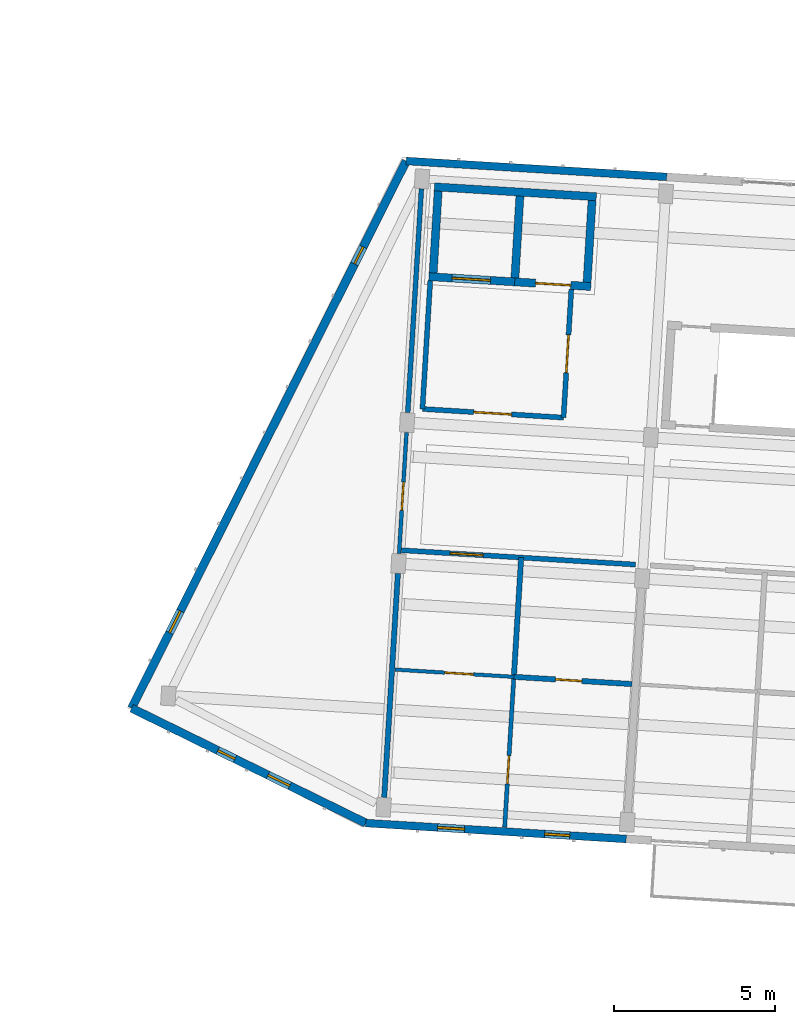
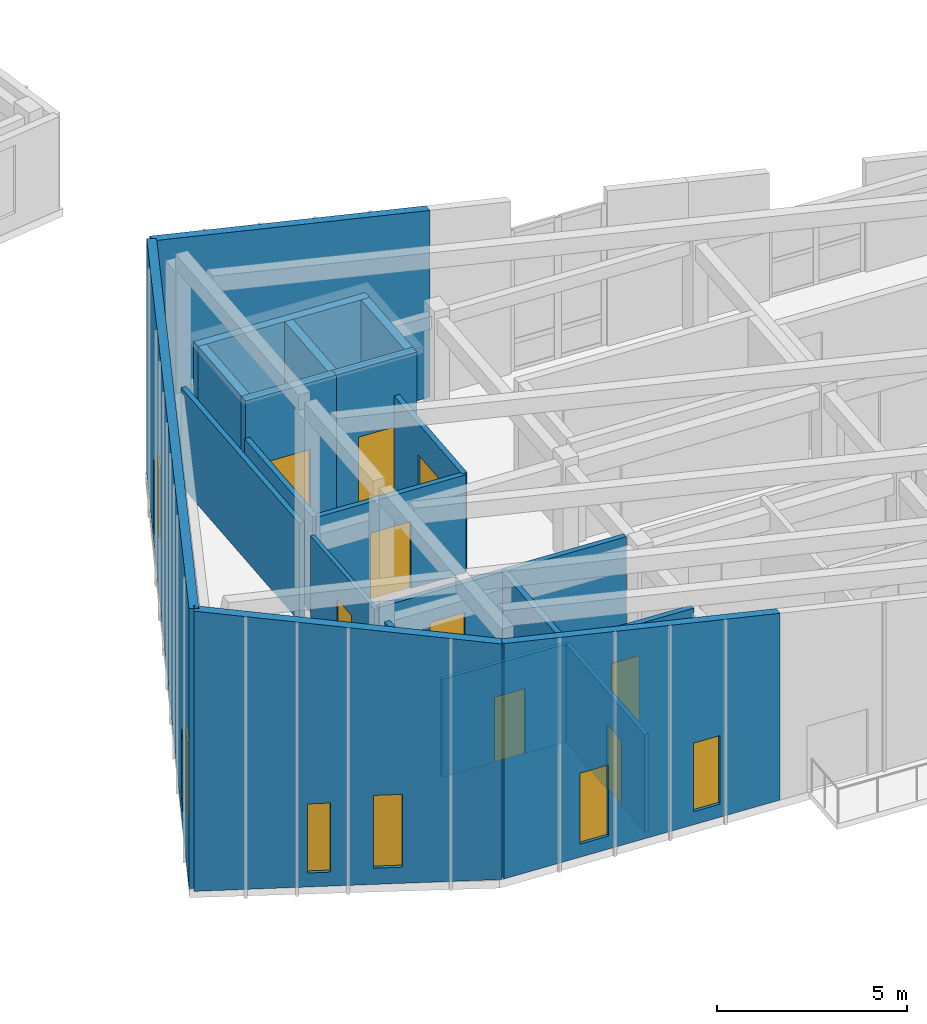
# One storey, part 17 of 45: 21 walls, 9 doors, 6 windows, 15 openings.
"""IFC4 building model written with IfcOpenShell, lengths in metres."""

from ifc_helpers import new_model, si_unit, direction, frame, frame_2d, origin, place, context, subcontext, project, spatial, polyline, rectangle, outline, extrude, material, layer, layer_set, type_object, element, fill, save


model = new_model("IFC4")

# Units and contexts
model_context = context("Model", 3, precision=1e-05, world=origin(), true_north=direction((0.0, 1.0)))
body_context = subcontext(model_context, "Body", "Model", "MODEL_VIEW")
ifc_project = project(units=[si_unit("LENGTHUNIT", "METRE"), si_unit("AREAUNIT", "SQUARE_METRE"), si_unit("VOLUMEUNIT", "CUBIC_METRE"), si_unit("PLANEANGLEUNIT", "RADIAN"), si_unit("MASSUNIT", "GRAM", prefix="KILO")], contexts=[model_context])

# Site, building, storey
site_placement = place(None, origin())
site = spatial("IfcSite", under=ifc_project, at=site_placement, CompositionType="ELEMENT")
building_placement = place(site_placement, origin())
building = spatial("IfcBuilding", under=site, at=building_placement, Name="Kestramere Prow Commons", CompositionType="ELEMENT")
storey_placement = place(building_placement, frame((0.0, 0.0, 31.14990234375)))
storey = spatial("IfcBuildingStorey", under=building, at=storey_placement, Name="L09", CompositionType="ELEMENT", Elevation=31.14990234375)

# Wall, openings, windows
ifc_material_1 = material(Name="Weathered Zinc-Titanium Standing-Seam Cladding")
ifc_layer_1 = layer(ifc_material_1, 0.260009765625)
ifc_layer_set_1 = layer_set([ifc_layer_1], Name="Weathered Zinc-Titanium Standing-Seam Cladding")
wall_type_1 = type_object("IfcWallType", Name="EW-PROW-260", PredefinedType="SOLIDWALL", material=ifc_layer_set_1)
wall_1_placement = place(storey_placement, frame((58.94384765625, 46.008056640625, 0.0), z_axis=(0.0, 0.0, 1.0), x_axis=(-0.897775054318, 0.440454256246, 0.0)))
wall_1 = element("IfcWall", 1, at=wall_1_placement, inside=storey, type_object=wall_type_1, Name="Block C L09 PRW-S Facet Wall", PredefinedType="SOLIDWALL", context=body_context, shape_type="SweptSolid", body=[
    extrude(outline(polyline([(0.0, 0.0), (8.120361328125, 0.0), (8.120361328125, 9.00341796875), (0.0, 7.561279296875), (0.0, 0.0)])), frame((0.0, 0.1298828125, 0.0), z_axis=(0.0, -1.0, 0.0), x_axis=(1.0, 0.0, 0.0)), (0.0, 0.0, 1.0), 0.260009765625),
])
opening_1_placement = place(wall_1_placement, frame((2.6298828125, 0.0, 0.52001953125)))
opening_1 = element("IfcOpeningElement", 2, at=opening_1_placement, cuts=wall_1, Name="Opening WN-10", PredefinedType="OPENING", context=body_context, shape_type="SweptSolid", body=[
    extrude(rectangle(XDim=0.760009765625, YDim=2.340087890625, at=frame_2d((0.3798828125, 1.169921875))), frame((0.0, 0.14501953125, 0.0), z_axis=(0.0, -1.0, 0.0), x_axis=(1.0, 0.0, 0.0)), (0.0, 0.0, 1.0), 0.2900390625),
])
opening_2_placement = place(wall_1_placement, frame((4.530517578125, 0.0, 0.449951171875)))
opening_2 = element("IfcOpeningElement", 3, at=opening_2_placement, cuts=wall_1, Name="Opening WN-02", PredefinedType="OPENING", context=body_context, shape_type="SweptSolid", body=[
    extrude(rectangle(XDim=0.60009765625, YDim=2.219970703125, at=frame_2d((0.300048828125, 1.10986328125))), frame((0.0, 0.14501953125, 0.0), z_axis=(0.0, -1.0, 0.0), x_axis=(1.0, 0.0, 0.0)), (0.0, 0.0, 1.0), 0.2900390625),
])
ifc_material_2 = material(Name="Low-E Laminated Double Glazing", Category="glass")
window_type_1 = type_object("IfcWindowType", Name="WN-NAR-600A", PartitioningType="SINGLE_PANEL", PredefinedType="WINDOW", material=ifc_material_2)
window_1_placement = place(opening_2_placement, origin())
window_1 = element("IfcWindow", 4, at=window_1_placement, inside=storey, type_object=window_type_1, Name="WN-C-L09-PRW-S-1", OverallHeight=2.219970703125, OverallWidth=0.60009765625, PartitioningType="SINGLE_PANEL", PredefinedType="WINDOW", context=body_context, shape_type="SweptSolid", body=[
    extrude(rectangle(XDim=0.60009765625, YDim=2.219970703125, at=frame_2d((0.300048828125, 1.10986328125))), frame((0.0, 0.030029296875, 0.0), z_axis=(0.0, -1.0, 0.0), x_axis=(1.0, 0.0, 0.0)), (0.0, 0.0, 1.0), 0.06005859375),
])
fill(opening_2, window_1)
window_type_2 = type_object("IfcWindowType", Name="WN-NAR-760A", PartitioningType="SINGLE_PANEL", PredefinedType="WINDOW", material=ifc_material_2)
window_2_placement = place(opening_1_placement, origin())
window_2 = element("IfcWindow", 5, at=window_2_placement, inside=storey, type_object=window_type_2, Name="WN-C-L09-PRW-S-0", OverallHeight=2.340087890625, OverallWidth=0.760009765625, PartitioningType="SINGLE_PANEL", PredefinedType="WINDOW", context=body_context, shape_type="SweptSolid", body=[
    extrude(rectangle(XDim=0.760009765625, YDim=2.340087890625, at=frame_2d((0.3798828125, 1.169921875))), frame((0.0, 0.030029296875, 0.0), z_axis=(0.0, -1.0, 0.0), x_axis=(1.0, 0.0, 0.0)), (0.0, 0.0, 1.0), 0.06005859375),
])
fill(opening_1, window_2)

wall_2_placement = place(storey_placement, frame((51.653564453125, 49.584716796875, 0.0), z_axis=(0.0, 0.0, 1.0), x_axis=(0.448621989068, 0.893721607059, 0.0)))
wall_2 = element("IfcWall", 6, at=wall_2_placement, inside=storey, type_object=wall_type_1, Name="Block C L09 PRW-N Facet Wall", PredefinedType="SOLIDWALL", context=body_context, shape_type="SweptSolid", body=[
    extrude(outline(polyline([(0.0, 0.0), (19.060546875, 0.0), (19.060302734375, 7.561279296875), (0.0, 9.00341796875), (0.0, 0.0)])), frame((0.0, 0.1298828125, 0.0), z_axis=(0.0, -1.0, 0.0), x_axis=(1.0, 0.0, 0.0)), (0.0, 0.0, 1.0), 0.260009765625),
])
opening_3_placement = place(wall_2_placement, frame((2.6298828125, 0.0, 0.52001953125)))
opening_3 = element("IfcOpeningElement", 7, at=opening_3_placement, cuts=wall_2, Name="Opening WN-10", PredefinedType="OPENING", context=body_context, shape_type="SweptSolid", body=[
    extrude(rectangle(XDim=0.760009765625, YDim=2.340087890625, at=frame_2d((0.3798828125, 1.169921875))), frame((0.0, 0.14501953125, 0.0), z_axis=(0.0, -1.0, 0.0), x_axis=(1.0, 0.0, 0.0)), (0.0, 0.0, 1.0), 0.2900390625),
])
opening_4_placement = place(wall_2_placement, frame((15.470458984375, 0.0, 0.449951171875)))
opening_4 = element("IfcOpeningElement", 8, at=opening_4_placement, cuts=wall_2, Name="Opening WN-02", PredefinedType="OPENING", context=body_context, shape_type="SweptSolid", body=[
    extrude(rectangle(XDim=0.60009765625, YDim=2.219970703125, at=frame_2d((0.300048828125, 1.10986328125))), frame((0.0, 0.14501953125, 0.0), z_axis=(0.0, -1.0, 0.0), x_axis=(1.0, 0.0, 0.0)), (0.0, 0.0, 1.0), 0.2900390625),
])
window_3_placement = place(opening_4_placement, origin())
window_3 = element("IfcWindow", 9, at=window_3_placement, inside=storey, type_object=window_type_1, Name="WN-C-L09-PRW-N-1", OverallHeight=2.219970703125, OverallWidth=0.60009765625, PartitioningType="SINGLE_PANEL", PredefinedType="WINDOW", context=body_context, shape_type="SweptSolid", body=[
    extrude(rectangle(XDim=0.60009765625, YDim=2.219970703125, at=frame_2d((0.300048828125, 1.10986328125))), frame((0.0, 0.030029296875, 0.0), z_axis=(0.0, -1.0, 0.0), x_axis=(1.0, 0.0, 0.0)), (0.0, 0.0, 1.0), 0.06005859375),
])
fill(opening_4, window_3)
window_4_placement = place(opening_3_placement, origin())
window_4 = element("IfcWindow", 10, at=window_4_placement, inside=storey, type_object=window_type_2, Name="WN-C-L09-PRW-N-0", OverallHeight=2.340087890625, OverallWidth=0.760009765625, PartitioningType="SINGLE_PANEL", PredefinedType="WINDOW", context=body_context, shape_type="SweptSolid", body=[
    extrude(rectangle(XDim=0.760009765625, YDim=2.340087890625, at=frame_2d((0.3798828125, 1.169921875))), frame((0.0, 0.030029296875, 0.0), z_axis=(0.0, -1.0, 0.0), x_axis=(1.0, 0.0, 0.0)), (0.0, 0.0, 1.0), 0.06005859375),
])
fill(opening_3, window_4)

ifc_material_3 = material(Name="Fluoropolymer Standing-Seam Zinc-Aluminium Cladding", Category="aluminium")
ifc_layer_2 = layer(ifc_material_3, 0.239990234375)
ifc_layer_set_2 = layer_set([ifc_layer_2], Name="Fluoropolymer Standing-Seam Zinc-Aluminium Cladding")
wall_type_2 = type_object("IfcWallType", Name="EW-SEAM-240", PredefinedType="SOLIDWALL", material=ifc_layer_set_2)
wall_3_placement = place(storey_placement, frame((67.0537109375, 45.511962890625, 0.0), z_axis=(0.0, 0.0, 1.0), x_axis=(-0.998134248939, 0.061057522844, 0.0)))
wall_3 = element("IfcWall", 11, at=wall_3_placement, inside=storey, type_object=wall_type_2, Name="Block C L09 South Standing-Seam Wall 1", PredefinedType="SOLIDWALL", context=body_context, shape_type="SweptSolid", body=[
    extrude(outline(polyline([(0.0, 0.0), (8.125, 0.0), (8.125, 7.561279296875), (0.0, 5.997802734375), (0.0, 0.0)])), frame((0.0, 0.1201171875, 0.0), z_axis=(0.0, -1.0, 0.0), x_axis=(1.0, 0.0, 0.0)), (0.0, 0.0, 1.0), 0.239990234375),
])
opening_5_placement = place(wall_3_placement, frame((1.76513671875, 0.0, 0.419921875)))
opening_5 = element("IfcOpeningElement", 12, at=opening_5_placement, cuts=wall_3, Name="Opening WN-11", PredefinedType="OPENING", context=body_context, shape_type="SweptSolid", body=[
    extrude(rectangle(XDim=0.780029296875, YDim=2.199951171875, at=frame_2d((0.39013671875, 1.10009765625))), frame((0.0, 0.135009765625, 0.0), z_axis=(0.0, -1.0, 0.0), x_axis=(1.0, 0.0, 0.0)), (0.0, 0.0, 1.0), 0.27001953125),
])
opening_6_placement = place(wall_3_placement, frame((5.0439453125, 0.0, 0.419921875)))
opening_6 = element("IfcOpeningElement", 13, at=opening_6_placement, cuts=wall_3, Name="Opening WN-14", PredefinedType="OPENING", context=body_context, shape_type="SweptSolid", body=[
    extrude(rectangle(XDim=0.840087890625, YDim=2.280029296875, at=frame_2d((0.419921875, 1.14013671875))), frame((0.0, 0.135009765625, 0.0), z_axis=(0.0, -1.0, 0.0), x_axis=(1.0, 0.0, 0.0)), (0.0, 0.0, 1.0), 0.27001953125),
])
window_type_3 = type_object("IfcWindowType", Name="WN-NAR-780A", PartitioningType="SINGLE_PANEL", PredefinedType="WINDOW", material=ifc_material_2)
window_5_placement = place(opening_5_placement, origin())
window_5 = element("IfcWindow", 14, at=window_5_placement, inside=storey, type_object=window_type_3, Name="WN-C-L09-S-0-00", OverallHeight=2.199951171875, OverallWidth=0.780029296875, PartitioningType="SINGLE_PANEL", PredefinedType="WINDOW", context=body_context, shape_type="SweptSolid", body=[
    extrude(rectangle(XDim=0.780029296875, YDim=2.199951171875, at=frame_2d((0.39013671875, 1.10009765625))), frame((0.0, 0.030029296875, 0.0), z_axis=(0.0, -1.0, 0.0), x_axis=(1.0, 0.0, 0.0)), (0.0, 0.0, 1.0), 0.06005859375),
])
fill(opening_5, window_5)
window_type_4 = type_object("IfcWindowType", Name="WN-NAR-840A", PartitioningType="DOUBLE_PANEL_VERTICAL", PredefinedType="WINDOW", material=ifc_material_2)
window_6_placement = place(opening_6_placement, origin())
window_6 = element("IfcWindow", 15, at=window_6_placement, inside=storey, type_object=window_type_4, Name="WN-C-L09-S-0-10", OverallHeight=2.280029296875, OverallWidth=0.840087890625, PartitioningType="SINGLE_PANEL", PredefinedType="WINDOW", context=body_context, shape_type="SweptSolid", body=[
    extrude(rectangle(XDim=0.840087890625, YDim=2.280029296875, at=frame_2d((0.419921875, 1.14013671875))), frame((0.0, 0.030029296875, 0.0), z_axis=(0.0, -1.0, 0.0), x_axis=(1.0, 0.0, 0.0)), (0.0, 0.0, 1.0), 0.06005859375),
])
fill(opening_6, window_6)

# Walls
wall_4_placement = place(storey_placement, frame((60.20458984375, 66.61962890625, 0.0), z_axis=(0.0, 0.0, 1.0), x_axis=(0.998134248939, -0.061057522844, 0.0)))
element("IfcWall", 16, at=wall_4_placement, inside=storey, type_object=wall_type_2, Name="Block C L09 North Standing-Seam Wall 1", PredefinedType="SOLIDWALL", context=body_context, shape_type="SweptSolid", body=[
    extrude(outline(polyline([(0.0, 0.0), (8.125, 0.0), (8.125, 5.997802734375), (0.0, 7.561279296875), (0.0, 0.0)])), frame((0.0, 0.1201171875, 0.0), z_axis=(0.0, -1.0, 0.0), x_axis=(1.0, 0.0, 0.0)), (0.0, 0.0, 1.0), 0.239990234375),
])
ifc_material_4 = material(Name="Concrete C40/50", Category="concrete")
ifc_layer_3 = layer(ifc_material_4, 0.25)
ifc_layer_set_3 = layer_set([ifc_layer_3], Name="Concrete C40/50")
wall_type_3 = type_object("IfcWallType", Name="W-CORE-250", PredefinedType="SHEAR", material=ifc_layer_set_3)
wall_5_placement = place(storey_placement, frame((61.08203125, 65.814453125, 0.0), z_axis=(0.0, 0.0, 1.0), x_axis=(0.998134101522, -0.061059932685, 0.0)))
element("IfcWall", 17, at=wall_5_placement, inside=storey, type_object=wall_type_3, Name="Block C L09 Lift Core Back Wall", PredefinedType="SHEAR", context=body_context, shape_type="SweptSolid", body=[
    extrude(rectangle(XDim=5.050048828125, YDim=0.25, at=frame_2d((2.52490234375, 0.0))), origin(), (0.0, 0.0, 1.0), 4.35009765625),
])

# Wall, opening, door
wall_6_placement = place(storey_placement, frame((60.9111328125, 63.019775390625, 0.0), z_axis=(0.0, 0.0, 1.0), x_axis=(0.998134099905, -0.061059959111, 0.0)))
wall_6 = element("IfcWall", 18, at=wall_6_placement, inside=storey, type_object=wall_type_3, Name="Block C L09 Fire Lift Shaft Front Wall", PredefinedType="SHEAR", context=body_context, shape_type="SweptSolid", body=[
    extrude(rectangle(XDim=2.6748046875, YDim=0.25, at=frame_2d((1.33740234375, 0.0))), origin(), (0.0, 0.0, 1.0), 4.35009765625),
])
opening_7_placement = place(wall_6_placement, frame((0.719970703125, 0.0, 0.0)))
opening_7 = element("IfcOpeningElement", 19, at=opening_7_placement, cuts=wall_6, Name="Opening LD-02", PredefinedType="OPENING", context=body_context, shape_type="SweptSolid", body=[
    extrude(rectangle(XDim=1.199951171875, YDim=2.199951171875, at=frame_2d((0.60009765625, 1.10009765625))), frame((0.0, 0.139892578125, 0.0), z_axis=(0.0, -1.0, 0.0), x_axis=(1.0, 0.0, 0.0)), (0.0, 0.0, 1.0), 0.280029296875),
])
ifc_material_5 = material(Name="Brushed Stainless Steel 316", Category="steel")
door_type_1 = type_object("IfcDoorType", Name="LD-02", OperationType="DOUBLE_DOOR_SLIDING", PredefinedType="DOOR", material=ifc_material_5)
door_1_placement = place(opening_7_placement, origin())
door_1 = element("IfcDoor", 20, at=door_1_placement, inside=storey, type_object=door_type_1, Name="FL-C1 L09 Lift Landing Door", OperationType="DOUBLE_DOOR_SLIDING", OverallHeight=2.199951171875, OverallWidth=1.199951171875, PredefinedType="DOOR", context=body_context, shape_type="SweptSolid", body=[
    extrude(rectangle(XDim=1.199951171875, YDim=2.199951171875, at=frame_2d((0.60009765625, 1.10009765625))), frame((0.0, 0.02490234375, 0.0), z_axis=(0.0, -1.0, 0.0), x_axis=(1.0, 0.0, 0.0)), (0.0, 0.0, 1.0), 0.050048828125),
])
fill(opening_7, door_1)

wall_7_placement = place(storey_placement, frame((63.5810546875, 62.8564453125, 0.0), z_axis=(0.0, 0.0, 1.0), x_axis=(0.998134103342, -0.061059902923, 0.0)))
wall_7 = element("IfcWall", 21, at=wall_7_placement, inside=storey, type_object=wall_type_3, Name="Block C L09 Passenger Lift Shaft Front Wall", PredefinedType="SHEAR", context=body_context, shape_type="SweptSolid", body=[
    extrude(rectangle(XDim=2.375, YDim=0.25, at=frame_2d((1.1875, 0.0))), origin(), (0.0, 0.0, 1.0), 4.35009765625),
])
opening_8_placement = place(wall_7_placement, frame((0.64990234375, 0.0, 0.0)))
opening_8 = element("IfcOpeningElement", 22, at=opening_8_placement, cuts=wall_7, Name="Opening LD-01", PredefinedType="OPENING", context=body_context, shape_type="SweptSolid", body=[
    extrude(rectangle(XDim=1.10009765625, YDim=2.14990234375, at=frame_2d((0.550048828125, 1.074951171875))), frame((0.0, 0.139892578125, 0.0), z_axis=(0.0, -1.0, 0.0), x_axis=(1.0, 0.0, 0.0)), (0.0, 0.0, 1.0), 0.280029296875),
])
ifc_material_6 = material(Name="Brushed Stainless Steel 304", Category="steel")
door_type_2 = type_object("IfcDoorType", Name="LD-01", OperationType="DOUBLE_DOOR_SLIDING", PredefinedType="DOOR", material=ifc_material_6)
door_2_placement = place(opening_8_placement, origin())
door_2 = element("IfcDoor", 23, at=door_2_placement, inside=storey, type_object=door_type_2, Name="PL-C2 L09 Lift Landing Door", OperationType="DOUBLE_DOOR_SLIDING", OverallHeight=2.14990234375, OverallWidth=1.10009765625, PredefinedType="DOOR", context=body_context, shape_type="SweptSolid", body=[
    extrude(rectangle(XDim=1.10009765625, YDim=2.14990234375, at=frame_2d((0.550048828125, 1.074951171875))), frame((0.0, 0.02490234375, 0.0), z_axis=(0.0, -1.0, 0.0), x_axis=(1.0, 0.0, 0.0)), (0.0, 0.0, 1.0), 0.050048828125),
])
fill(opening_8, door_2)

# Walls
wall_8_placement = place(storey_placement, frame((61.04345703125, 63.13671875, 0.0), z_axis=(0.0, 0.0, 1.0), x_axis=(0.061078919587, 0.998132939834, 0.0)))
element("IfcWall", 24, at=wall_8_placement, inside=storey, type_object=wall_type_3, Name="Block C L09 Lift Core Side Wall L", PredefinedType="SHEAR", context=body_context, shape_type="SweptSolid", body=[
    extrude(rectangle(XDim=2.55029296875, YDim=0.25, at=frame_2d((1.275146484375, 0.0))), origin(), (0.0, 0.0, 1.0), 4.35009765625),
])
wall_9_placement = place(storey_placement, frame((63.5888671875, 62.981201171875, 0.0), z_axis=(0.0, 0.0, 1.0), x_axis=(0.060989368901, 0.998138415692, 0.0)))
element("IfcWall", 25, at=wall_9_placement, inside=storey, type_object=wall_type_3, Name="Block C L09 Lift Core Side Wall M", PredefinedType="SHEAR", context=body_context, shape_type="SweptSolid", body=[
    extrude(rectangle(XDim=2.5498046875, YDim=0.25, at=frame_2d((1.27490234375, 0.0))), origin(), (0.0, 0.0, 1.0), 4.35009765625),
])
wall_10_placement = place(storey_placement, frame((65.83447265625, 62.84375, 0.0), z_axis=(0.0, 0.0, 1.0), x_axis=(0.061084756616, 0.998132582631, 0.0)))
element("IfcWall", 26, at=wall_10_placement, inside=storey, type_object=wall_type_3, Name="Block C L09 Lift Core Side Wall R", PredefinedType="SHEAR", context=body_context, shape_type="SweptSolid", body=[
    extrude(rectangle(XDim=2.550048828125, YDim=0.25, at=frame_2d((1.27490234375, 0.0))), origin(), (0.0, 0.0, 1.0), 4.35009765625),
])

# Wall, opening, door
ifc_material_7 = material(Name="Fire-Rated Calcium Silicate Wall")
ifc_layer_4 = layer(ifc_material_7, 0.155029296875)
ifc_layer_set_4 = layer_set([ifc_layer_4], Name="Fire-Rated Calcium Silicate Wall")
wall_type_4 = type_object("IfcWallType", Name="W-FIRE-150", PredefinedType="PARTITIONING", material=ifc_layer_set_4)
wall_11_placement = place(storey_placement, frame((60.709228515625, 58.8994140625, 0.0), z_axis=(0.0, 0.0, 1.0), x_axis=(0.998132276607, -0.061089756882, 0.0)))
wall_11 = element("IfcWall", 27, at=wall_11_placement, inside=storey, type_object=wall_type_4, Name="Interior Partition PW-C-L09-FFL-S", PredefinedType="PARTITIONING", context=body_context, shape_type="SweptSolid", body=[
    extrude(rectangle(XDim=4.400146484375, YDim=0.155029296875, at=frame_2d((2.2001953125, 0.0))), origin(), (0.0, 0.0, 1.0), 3.150146484375),
])
opening_9_placement = place(wall_11_placement, frame((1.60009765625, 0.0, 0.0)))
opening_9 = element("IfcOpeningElement", 28, at=opening_9_placement, cuts=wall_11, Name="Opening ID-03", PredefinedType="OPENING", context=body_context, shape_type="SweptSolid", body=[
    extrude(rectangle(XDim=1.179931640625, YDim=2.14990234375, at=frame_2d((0.58984375, 1.074951171875))), frame((0.0, 0.092529296875, 0.0), z_axis=(0.0, -1.0, 0.0), x_axis=(1.0, 0.0, 0.0)), (0.0, 0.0, 1.0), 0.18505859375),
])
ifc_material_8 = material(Name="Fire-Rated Glazed Smoke-Stop Door")
door_type_3 = type_object("IfcDoorType", Name="FD-LB-01", OperationType="NOTDEFINED", PredefinedType="DOOR", material=ifc_material_8)
door_3_placement = place(opening_9_placement, origin())
door_3 = element("IfcDoor", 29, at=door_3_placement, inside=storey, type_object=door_type_3, Name="Interior Door DR-C-L09-FFL", OperationType="SINGLE_SWING_RIGHT", OverallHeight=2.14990234375, OverallWidth=1.179931640625, PredefinedType="DOOR", context=body_context, shape_type="SweptSolid", body=[
    extrude(rectangle(XDim=1.179931640625, YDim=2.14990234375, at=frame_2d((0.58984375, 1.074951171875))), frame((0.0, 0.02490234375, 0.0), z_axis=(0.0, -1.0, 0.0), x_axis=(1.0, 0.0, 0.0)), (0.0, 0.0, 1.0), 0.050048828125),
])
fill(opening_9, door_3)

# Wall
wall_12_placement = place(storey_placement, frame((60.709228515625, 58.8994140625, 0.0), z_axis=(0.0, 0.0, 1.0), x_axis=(0.061036844229, 0.998135513669, 0.0)))
element("IfcWall", 30, at=wall_12_placement, inside=storey, type_object=wall_type_4, Name="Interior Partition PW-C-L09-FFL-W", PredefinedType="PARTITIONING", context=body_context, shape_type="SweptSolid", body=[
    extrude(rectangle(XDim=4.0, YDim=0.155029296875, at=frame_2d((2.0, 0.0))), origin(), (0.0, 0.0, 1.0), 3.150146484375),
])

# Wall, opening, door
wall_13_placement = place(storey_placement, frame((65.10107421875, 58.630615234375, 0.0), z_axis=(0.0, 0.0, 1.0), x_axis=(0.061033125904, 0.99813574104, 0.0)))
wall_13 = element("IfcWall", 31, at=wall_13_placement, inside=storey, type_object=wall_type_4, Name="Interior Partition PW-C-L09-FFL-E", PredefinedType="PARTITIONING", context=body_context, shape_type="SweptSolid", body=[
    extrude(rectangle(XDim=4.000244140625, YDim=0.155029296875, at=frame_2d((2.0, 0.0))), origin(), (0.0, 0.0, 1.0), 3.150146484375),
])
opening_10_placement = place(wall_13_placement, frame((1.39990234375, 0.0, 0.0)))
opening_10 = element("IfcOpeningElement", 32, at=opening_10_placement, cuts=wall_13, Name="Opening ID-03", PredefinedType="OPENING", context=body_context, shape_type="SweptSolid", body=[
    extrude(rectangle(XDim=1.179931640625, YDim=2.14990234375, at=frame_2d((0.58984375, 1.074951171875))), frame((0.0, 0.092529296875, 0.0), z_axis=(0.0, -1.0, 0.0), x_axis=(1.0, 0.0, 0.0)), (0.0, 0.0, 1.0), 0.18505859375),
])
door_4_placement = place(opening_10_placement, origin())
door_4 = element("IfcDoor", 33, at=door_4_placement, inside=storey, type_object=door_type_3, Name="Interior Door DR-C-L09-FFL-PL", OperationType="SINGLE_SWING_LEFT", OverallHeight=2.14990234375, OverallWidth=1.179931640625, PredefinedType="DOOR", context=body_context, shape_type="SweptSolid", body=[
    extrude(rectangle(XDim=1.179931640625, YDim=2.14990234375, at=frame_2d((0.58984375, 1.074951171875))), frame((0.0, 0.02490234375, 0.0), z_axis=(0.0, -1.0, 0.0), x_axis=(1.0, 0.0, 0.0)), (0.0, 0.0, 1.0), 0.050048828125),
])
fill(opening_10, door_4)

wall_14_placement = place(storey_placement, frame((60.0595703125, 54.500732421875, 0.0), z_axis=(0.0, 0.0, 1.0), x_axis=(0.998135030865, -0.061044739012, 0.0)))
wall_14 = element("IfcWall", 34, at=wall_14_placement, inside=storey, type_object=wall_type_4, Name="Interior Partition PW-C-L09-CS-0", PredefinedType="PARTITIONING", context=body_context, shape_type="SweptSolid", body=[
    extrude(rectangle(XDim=7.294921875, YDim=0.155029296875, at=frame_2d((3.6474609375, 0.0))), origin(), (0.0, 0.0, 1.0), 3.150146484375),
])
opening_11_placement = place(wall_14_placement, frame((1.52001953125, 0.0, 0.0)))
opening_11 = element("IfcOpeningElement", 35, at=opening_11_placement, cuts=wall_14, Name="Opening ID-05", PredefinedType="OPENING", context=body_context, shape_type="SweptSolid", body=[
    extrude(rectangle(XDim=1.02001953125, YDim=2.199951171875, at=frame_2d((0.510009765625, 1.10009765625))), frame((0.0, 0.092529296875, 0.0), z_axis=(0.0, -1.0, 0.0), x_axis=(1.0, 0.0, 0.0)), (0.0, 0.0, 1.0), 0.18505859375),
])
ifc_material_9 = material(Name="Hardwood Fire-Rated Flat Entrance Door", Category="wood")
door_type_4 = type_object("IfcDoorType", Name="FD-ENT-02", OperationType="NOTDEFINED", PredefinedType="DOOR", material=ifc_material_9)
door_5_placement = place(opening_11_placement, origin())
door_5 = element("IfcDoor", 36, at=door_5_placement, inside=storey, type_object=door_type_4, Name="Interior Door DR-C-L09-ENT-S0", OperationType="SINGLE_SWING_RIGHT", OverallHeight=2.199951171875, OverallWidth=1.02001953125, PredefinedType="DOOR", context=body_context, shape_type="SweptSolid", body=[
    extrude(rectangle(XDim=1.02001953125, YDim=2.199951171875, at=frame_2d((0.510009765625, 1.10009765625))), frame((0.0, 0.02490234375, 0.0), z_axis=(0.0, -1.0, 0.0), x_axis=(1.0, 0.0, 0.0)), (0.0, 0.0, 1.0), 0.050048828125),
])
fill(opening_11, door_5)

ifc_material_10 = material(Name="Gypsum Acoustic Drywall")
ifc_layer_5 = layer(ifc_material_10, 0.110107421875)
ifc_layer_set_5 = layer_set([ifc_layer_5], Name="Gypsum Acoustic Drywall")
wall_type_5 = type_object("IfcWallType", Name="W-PART-110", PredefinedType="PARTITIONING", material=ifc_layer_set_5)
wall_15_placement = place(storey_placement, frame((59.852294921875, 50.786376953125, 0.0), z_axis=(0.0, 0.0, 1.0), x_axis=(0.998137662841, -0.061001688651, 0.0)))
wall_15 = element("IfcWall", 37, at=wall_15_placement, inside=storey, type_object=wall_type_5, Name="Interior Partition PW-C-L09-MIDS1-0", PredefinedType="PARTITIONING", context=body_context, shape_type="SweptSolid", body=[
    extrude(rectangle(XDim=3.7099609375, YDim=0.110107421875, at=frame_2d((1.85498046875, 0.0))), origin(), (0.0, 0.0, 1.0), 3.150146484375),
])
opening_12_placement = place(wall_15_placement, frame((1.550048828125, 0.0, 0.0)))
opening_12 = element("IfcOpeningElement", 38, at=opening_12_placement, cuts=wall_15, Name="Opening ID-08", PredefinedType="OPENING", context=body_context, shape_type="SweptSolid", body=[
    extrude(rectangle(XDim=0.89990234375, YDim=2.10009765625, at=frame_2d((0.449951171875, 1.050048828125))), frame((0.0, 0.070068359375, 0.0), z_axis=(0.0, -1.0, 0.0), x_axis=(1.0, 0.0, 0.0)), (0.0, 0.0, 1.0), 0.14013671875),
])
ifc_material_11 = material(Name="Engineered Timber Flush Door", Category="wood")
door_type_5 = type_object("IfcDoorType", Name="D-RM-01", OperationType="NOTDEFINED", PredefinedType="DOOR", material=ifc_material_11)
door_6_placement = place(opening_12_placement, origin())
door_6 = element("IfcDoor", 39, at=door_6_placement, inside=storey, type_object=door_type_5, Name="Interior Door DR-C-L09-KL-S0", OperationType="SINGLE_SWING_RIGHT", OverallHeight=2.10009765625, OverallWidth=0.89990234375, PredefinedType="DOOR", context=body_context, shape_type="SweptSolid", body=[
    extrude(rectangle(XDim=0.89990234375, YDim=2.10009765625, at=frame_2d((0.449951171875, 1.050048828125))), frame((0.0, 0.02490234375, 0.0), z_axis=(0.0, -1.0, 0.0), x_axis=(1.0, 0.0, 0.0)), (0.0, 0.0, 1.0), 0.050048828125),
])
fill(opening_12, door_6)

ifc_material_12 = material(Name="Lightweight Blockwork and Plaster", Category="masonry")
ifc_layer_6 = layer(ifc_material_12, 0.1201171875)
ifc_layer_set_6 = layer_set([ifc_layer_6], Name="Lightweight Blockwork and Plaster")
wall_type_6 = type_object("IfcWallType", Name="W-PART-120", PredefinedType="PARTITIONING", material=ifc_layer_set_6)
wall_16_placement = place(storey_placement, frame((59.98291015625, 54.395263671875, 0.0), z_axis=(0.0, 0.0, 1.0), x_axis=(0.061035211258, 0.998135613525, 0.0)))
wall_16 = element("IfcWall", 40, at=wall_16_placement, inside=storey, type_object=wall_type_6, Name="Interior Partition PW-C-L09-PROW-ACC", PredefinedType="PARTITIONING", context=body_context, shape_type="SweptSolid", body=[
    extrude(rectangle(XDim=3.780029296875, YDim=0.1201171875, at=frame_2d((1.89013671875, 0.0))), origin(), (0.0, 0.0, 1.0), 3.150146484375),
])
opening_13_placement = place(wall_16_placement, frame((1.35009765625, 0.0, 0.0)))
opening_13 = element("IfcOpeningElement", 41, at=opening_13_placement, cuts=wall_16, Name="Opening ID-10", PredefinedType="OPENING", context=body_context, shape_type="SweptSolid", body=[
    extrude(rectangle(XDim=0.8798828125, YDim=2.10009765625, at=frame_2d((0.43994140625, 1.050048828125))), frame((0.0, 0.074951171875, 0.0), z_axis=(0.0, -1.0, 0.0), x_axis=(1.0, 0.0, 0.0)), (0.0, 0.0, 1.0), 0.150146484375),
])
ifc_material_13 = material(Name="Engineered Timber Bedroom Door", Category="wood")
door_type_6 = type_object("IfcDoorType", Name="D-RM-03", OperationType="NOTDEFINED", PredefinedType="DOOR", material=ifc_material_13)
door_7_placement = place(opening_13_placement, origin())
door_7 = element("IfcDoor", 42, at=door_7_placement, inside=storey, type_object=door_type_6, Name="Interior Door DR-C-L09-PROW", OperationType="SINGLE_SWING_LEFT", OverallHeight=2.10009765625, OverallWidth=0.8798828125, PredefinedType="DOOR", context=body_context, shape_type="SweptSolid", body=[
    extrude(rectangle(XDim=0.8798828125, YDim=2.10009765625, at=frame_2d((0.43994140625, 1.050048828125))), frame((0.0, 0.02490234375, 0.0), z_axis=(0.0, -1.0, 0.0), x_axis=(1.0, 0.0, 0.0)), (0.0, 0.0, 1.0), 0.050048828125),
])
fill(opening_13, door_7)

ifc_layer_7 = layer(ifc_material_12, 0.1298828125)
ifc_layer_set_7 = layer_set([ifc_layer_7], Name="Lightweight Blockwork and Plaster")
wall_type_7 = type_object("IfcWallType", Name="W-PART-130", PredefinedType="PARTITIONING", material=ifc_layer_set_7)
wall_17_placement = place(storey_placement, frame((63.26904296875, 45.878662109375, 0.0), z_axis=(0.0, 0.0, 1.0), x_axis=(0.061059262019, 0.998134142549, 0.0)))
wall_17 = element("IfcWall", 43, at=wall_17_placement, inside=storey, type_object=wall_type_7, Name="Interior Partition PW-C-L09-LB-S0", PredefinedType="PARTITIONING", context=body_context, shape_type="SweptSolid", body=[
    extrude(rectangle(XDim=4.690185546875, YDim=0.1298828125, at=frame_2d((2.34521484375, 0.0))), origin(), (0.0, 0.0, 1.0), 3.150146484375),
])
opening_14_placement = place(wall_17_placement, frame((1.35009765625, 0.0, 0.0)))
opening_14 = element("IfcOpeningElement", 44, at=opening_14_placement, cuts=wall_17, Name="Opening ID-10", PredefinedType="OPENING", context=body_context, shape_type="SweptSolid", body=[
    extrude(rectangle(XDim=0.8798828125, YDim=2.10009765625, at=frame_2d((0.43994140625, 1.050048828125))), frame((0.0, 0.079833984375, 0.0), z_axis=(0.0, -1.0, 0.0), x_axis=(1.0, 0.0, 0.0)), (0.0, 0.0, 1.0), 0.159912109375),
])
door_8_placement = place(opening_14_placement, origin())
door_8 = element("IfcDoor", 45, at=door_8_placement, inside=storey, type_object=door_type_6, Name="Interior Door DR-C-L09-BED-S0", OperationType="SINGLE_SWING_LEFT", OverallHeight=2.10009765625, OverallWidth=0.8798828125, PredefinedType="DOOR", context=body_context, shape_type="SweptSolid", body=[
    extrude(rectangle(XDim=0.8798828125, YDim=2.10009765625, at=frame_2d((0.43994140625, 1.050048828125))), frame((0.0, 0.02490234375, 0.0), z_axis=(0.0, -1.0, 0.0), x_axis=(1.0, 0.0, 0.0)), (0.0, 0.0, 1.0), 0.050048828125),
])
fill(opening_14, door_8)

# Walls
ifc_material_14 = material(Name="Masonry Compartment Wall", Category="masonry")
ifc_layer_8 = layer(ifc_material_14, 0.14990234375)
ifc_layer_set_8 = layer_set([ifc_layer_8], Name="Masonry Compartment Wall")
wall_type_8 = type_object("IfcWallType", Name="W-PART-150", PredefinedType="PARTITIONING", material=ifc_layer_set_8)
wall_18_placement = place(storey_placement, frame((60.25146484375, 58.787109375, 0.0), z_axis=(0.0, 0.0, 1.0), x_axis=(0.061071659957, 0.998133384047, 0.0)))
element("IfcWall", 46, at=wall_18_placement, inside=storey, type_object=wall_type_8, Name="Interior Partition PW-C-L09-PRW-N", PredefinedType="PARTITIONING", context=body_context, shape_type="SweptSolid", body=[
    extrude(rectangle(XDim=6.979736328125, YDim=0.14990234375, at=frame_2d((3.48974609375, 0.0))), origin(), (0.0, 0.0, 1.0), 3.150146484375),
])
ifc_material_15 = material(Name="Waterproof Sanitary Masonry Wall", Category="masonry")
ifc_layer_9 = layer(ifc_material_15, 0.1650390625)
ifc_layer_set_9 = layer_set([ifc_layer_9], Name="Waterproof Sanitary Masonry Wall")
wall_type_9 = type_object("IfcWallType", Name="W-PLUMB-150", PredefinedType="PLUMBINGWALL", material=ifc_layer_set_9)
wall_19_placement = place(storey_placement, frame((59.51904296875, 46.809326171875, 0.0), z_axis=(0.0, 0.0, 1.0), x_axis=(0.061034681366, 0.998135645927, 0.0)))
element("IfcWall", 47, at=wall_19_placement, inside=storey, type_object=wall_type_9, Name="Interior Partition PW-C-L09-PRWW-S", PredefinedType="PLUMBINGWALL", context=body_context, shape_type="SweptSolid", body=[
    extrude(rectangle(XDim=6.97998046875, YDim=0.1650390625, at=frame_2d((3.489990234375, 0.0))), origin(), (0.0, 0.0, 1.0), 3.150146484375),
])

# Wall, opening, door
wall_20_placement = place(storey_placement, frame((63.555419921875, 50.56005859375, 0.0), z_axis=(0.0, 0.0, 1.0), x_axis=(0.998132682596, -0.061083123148, 0.0)))
wall_20 = element("IfcWall", 48, at=wall_20_placement, inside=storey, type_object=wall_type_9, Name="Interior Partition PW-C-L09-MIDS2-0", PredefinedType="PLUMBINGWALL", context=body_context, shape_type="SweptSolid", body=[
    extrude(rectangle(XDim=3.68505859375, YDim=0.1650390625, at=frame_2d((1.842529296875, 0.0))), origin(), (0.0, 0.0, 1.0), 3.150146484375),
])
opening_15_placement = place(wall_20_placement, frame((1.300048828125, 0.0, 0.0)))
opening_15 = element("IfcOpeningElement", 49, at=opening_15_placement, cuts=wall_20, Name="Opening ID-11", PredefinedType="OPENING", context=body_context, shape_type="SweptSolid", body=[
    extrude(rectangle(XDim=0.820068359375, YDim=2.080078125, at=frame_2d((0.41015625, 1.0400390625))), frame((0.0, 0.097412109375, 0.0), z_axis=(0.0, -1.0, 0.0), x_axis=(1.0, 0.0, 0.0)), (0.0, 0.0, 1.0), 0.195068359375),
])
ifc_material_16 = material(Name="Moisture-Resistant Timber Bathroom Door", Category="wood")
door_type_7 = type_object("IfcDoorType", Name="D-BT-01", OperationType="NOTDEFINED", PredefinedType="DOOR", material=ifc_material_16)
door_9_placement = place(opening_15_placement, origin())
door_9 = element("IfcDoor", 50, at=door_9_placement, inside=storey, type_object=door_type_7, Name="Interior Door DR-C-L09-BTH-S0", OperationType="SINGLE_SWING_LEFT", OverallHeight=2.080078125, OverallWidth=0.820068359375, PredefinedType="DOOR", context=body_context, shape_type="SweptSolid", body=[
    extrude(rectangle(XDim=0.820068359375, YDim=2.080078125, at=frame_2d((0.41015625, 1.0400390625))), frame((0.0, 0.02490234375, 0.0), z_axis=(0.0, -1.0, 0.0), x_axis=(1.0, 0.0, 0.0)), (0.0, 0.0, 1.0), 0.050048828125),
])
fill(opening_15, door_9)

# Wall
wall_21_placement = place(storey_placement, frame((63.555419921875, 50.56005859375, 0.0), z_axis=(0.0, 0.0, 1.0), x_axis=(0.061038003798, 0.998135442759, 0.0)))
element("IfcWall", 51, at=wall_21_placement, inside=storey, type_object=wall_type_9, Name="Interior Partition PW-C-L09-KB-S0", PredefinedType="PLUMBINGWALL", context=body_context, shape_type="SweptSolid", body=[
    extrude(rectangle(XDim=3.7197265625, YDim=0.1650390625, at=frame_2d((1.85986328125, 0.0))), origin(), (0.0, 0.0, 1.0), 3.150146484375),
])

save(model, "model.ifc")
